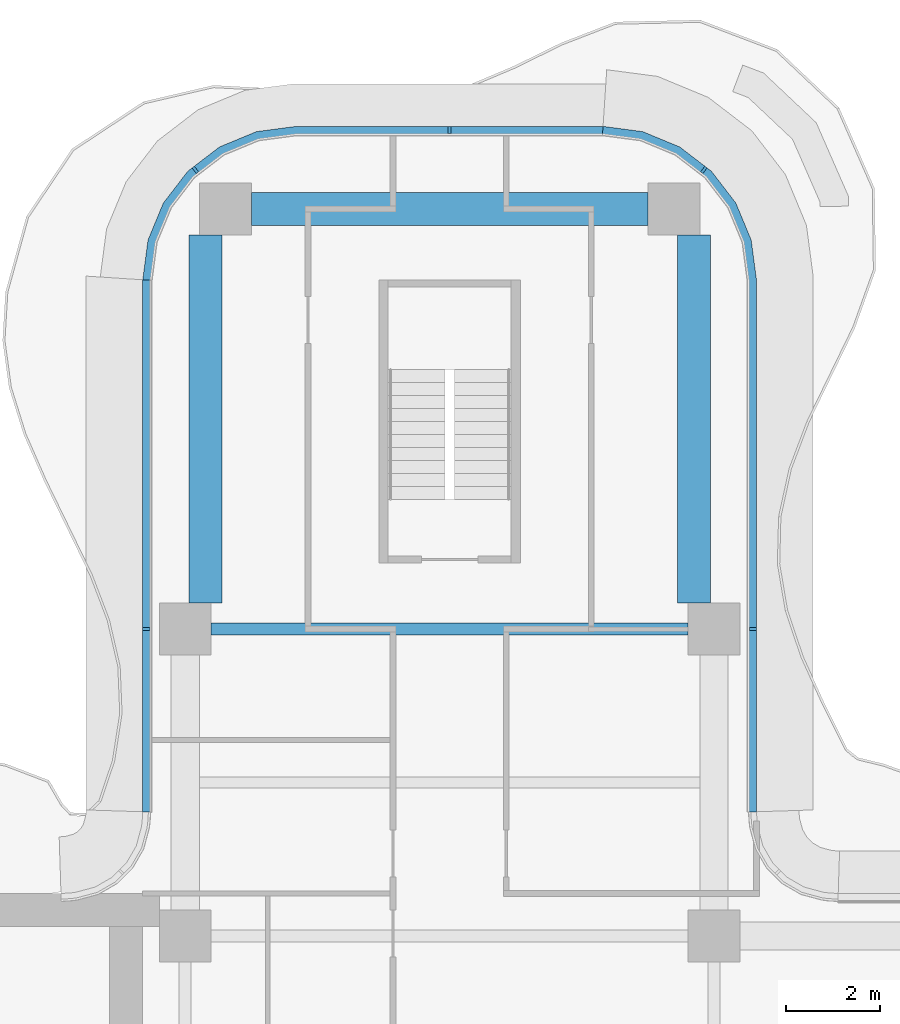
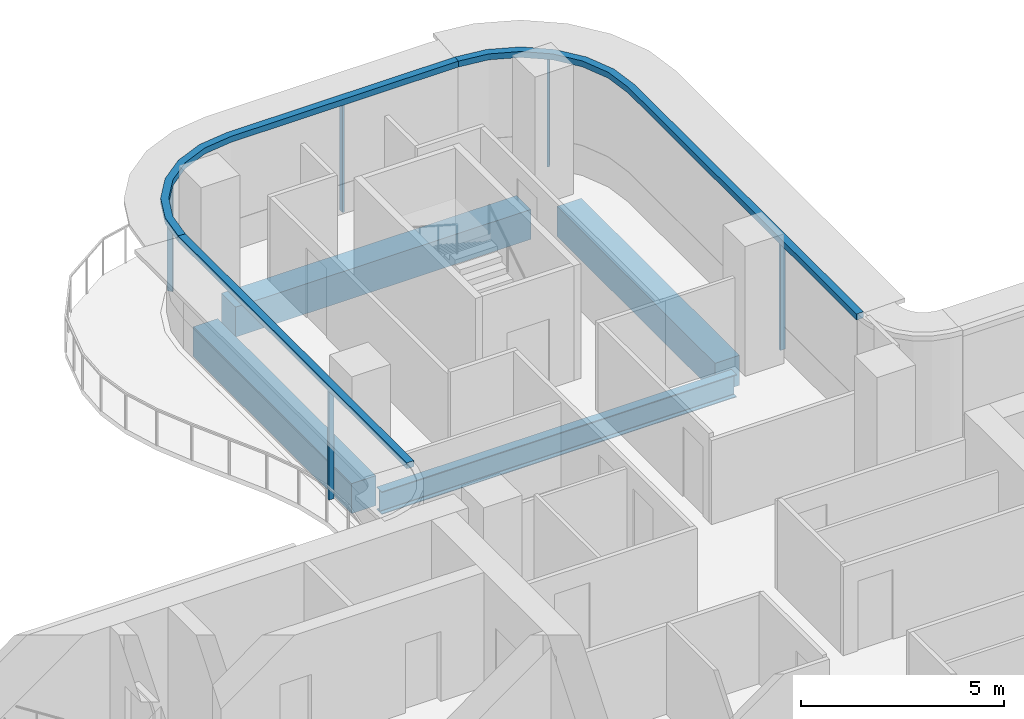
# One storey, part 7 of 16: 8 members, 4 beams, 3 elements without a shape of their own.
"""IFC4 building model written with IfcOpenShell, lengths in metres."""

from ifc_helpers import new_model, si_unit, direction, frame, origin, origin_2d, place, context, subcontext, project, spatial, polyline, rectangle, i_section, outline, extrude, source, transform, mapped, material, layer, layer_set, material_profile, profile_set, type_object, element, aggregate, save


model = new_model("IFC4")

# Units and contexts
model_context = context("Model", 3, precision=1e-05, world=origin(), true_north=direction((0.0, 1.0)))
body_context = subcontext(model_context, "Body", "Model", "MODEL_VIEW")
ifc_project = project(units=[si_unit("LENGTHUNIT", "METRE"), si_unit("AREAUNIT", "SQUARE_METRE"), si_unit("VOLUMEUNIT", "CUBIC_METRE"), si_unit("PLANEANGLEUNIT", "RADIAN"), si_unit("MASSUNIT", "GRAM", prefix="KILO")], contexts=[model_context])

# Site, building, storey
site_placement = place(None, origin())
site = spatial("IfcSite", under=ifc_project, at=site_placement, CompositionType="ELEMENT")
building_placement = place(site_placement, origin())
building = spatial("IfcBuilding", under=site, at=building_placement, Name="Trellis Farm Tower", CompositionType="ELEMENT")
storey_placement = place(building_placement, frame((0.0, 0.0, 267.5)))
storey = spatial("IfcBuildingStorey", under=building, at=storey_placement, Name="L60", CompositionType="ELEMENT", Elevation=267.5)

# Beams
ifc_material_1 = material(Name="Steel S355", Category="steel")
ifc_material_profile_1 = material_profile(ifc_material_1, i_section(OverallWidth=0.253662109375, OverallDepth=0.68359375, WebThickness=0.012451171875, FlangeThickness=0.021728515625, FilletRadius=0.01513671875, at=origin_2d()), Name="UB 686x254x140")
ifc_profile_set_1 = profile_set([ifc_material_profile_1], Name="Steel S355")
beam_type_1 = type_object("IfcBeamType", Name="UB 686x254x140", PredefinedType="BEAM", material=ifc_profile_set_1)
shared_shape_1 = source(origin(), body_context, "Body", "SweptSolid", [
    extrude(i_section(OverallWidth=0.253662109375, OverallDepth=0.68359375, WebThickness=0.012451171875, FlangeThickness=0.021728515625, FilletRadius=0.01513671875, at=origin_2d()), origin(), (0.0, 0.0, 1.0), 10.10009765625),
])
beam_1_placement = place(storey_placement, frame((-5.050048828125, 12.10009765625, -0.541748046875), z_axis=(1.0, 0.0, 0.0), x_axis=(0.0, 1.0, 0.0)))
element("IfcBeam", 1, at=beam_1_placement, inside=storey, type_object=beam_type_1, Name="Girder", PredefinedType="BEAM", context=body_context, shape_type="MappedRepresentation", body=[
    mapped(shared_shape_1, transform((0.0, 0.0, 0.0))),
])
ifc_material_2 = material(Name="Concrete C60/75", Category="concrete")
ifc_material_profile_2 = material_profile(ifc_material_2, rectangle(XDim=0.699951171875, YDim=0.89990234375, at=origin_2d()), Name="RC spandrel beam 700x900 C60/75")
ifc_profile_set_2 = profile_set([ifc_material_profile_2], Name="Concrete C60/75")
beam_type_2 = type_object("IfcBeamType", Name="RC spandrel beam 700x900 C60/75", PredefinedType="SPANDREL", material=ifc_profile_set_2)
shared_shape_2 = source(origin(), body_context, "Body", "SweptSolid", [
    extrude(rectangle(XDim=0.699951171875, YDim=0.89990234375, at=origin_2d()), origin(), (0.0, 0.0, 1.0), 8.39990234375),
])
beam_2_placement = place(storey_placement, frame((-4.199951171875, 21.0, -0.64990234375), z_axis=(1.0, 0.0, 0.0), x_axis=(0.0, 1.0, 0.0)))
element("IfcBeam", 2, at=beam_2_placement, inside=storey, type_object=beam_type_2, Name="Girder", PredefinedType="SPANDREL", context=body_context, shape_type="MappedRepresentation", body=[
    mapped(shared_shape_2, transform((0.0, 0.0, 0.0))),
])
shared_shape_3 = source(origin(), body_context, "Body", "SweptSolid", [
    extrude(rectangle(XDim=0.699951171875, YDim=0.89990234375, at=origin_2d()), origin(), (0.0, 0.0, 1.0), 7.800048828125),
])
for number, where, z_axis, x_axis, name in (
    (3, (-5.175048828125, 12.64990234375, -0.64990234375), (0.0, 1.0, 0.0), (-1.0, 0.0, 0.0), "Girder"),
    (4, (5.175048828125, 12.64990234375, -0.64990234375), (0.0, 1.0, 0.0), (-1.0, 0.0, 0.0), "Girder"),
):
    element("IfcBeam", number, at=place(storey_placement, frame(where, z_axis=z_axis, x_axis=x_axis)), inside=storey, type_object=beam_type_2, Name=name, PredefinedType="SPANDREL", context=body_context, shape_type="MappedRepresentation", body=[
        mapped(shared_shape_3, transform((0.0, 0.0, 0.0))),
    ])

# Curtain wall, member
ifc_material_3 = material(Name="Aluminium and glass curtain wall", Category="aluminium")
ifc_layer_1 = layer(ifc_material_3, 0.18994140625)
ifc_layer_set_1 = layer_set([ifc_layer_1], Name="RIBBON CURTAIN WALL CW1")
curtain_wall_type = type_object("IfcCurtainWallType", Name="RIBBON CURTAIN WALL CW1", PredefinedType="NOTDEFINED", material=ifc_layer_set_1)
placement_1 = place(storey_placement, origin())
curtain_wall_1 = element("IfcCurtainWall", 5, at=placement_1, inside=storey, type_object=curtain_wall_type, Name="CW1 009", PredefinedType="NOTDEFINED")
ifc_material_4 = material(Name="Aluminium extrusion 6063-T6", Category="aluminium")
ifc_layer_2 = layer(ifc_material_4, 0.199951171875)
ifc_layer_set_2 = layer_set([ifc_layer_2], Name="Aluminium extrusion 6063-T6")
member_type_1 = type_object("IfcMemberType", Name="CW1 TRANSOM 200x180", PredefinedType="USERDEFINED", material=ifc_layer_set_2)
shared_shape_4 = source(origin(), body_context, "Body", "SweptSolid", [
    extrude(outline(polyline([(6.5, 8.2314453125), (6.5, 19.5), (6.38916015625, 20.341064453125), (6.064697265625, 21.125), (5.548095703125, 21.798095703125), (4.875, 22.314697265625), (4.091064453125, 22.63916015625), (3.25, 22.75), (3.23681640625, 22.550048828125), (4.0390625, 22.4443359375), (4.774169921875, 22.139892578125), (5.405517578125, 21.655517578125), (5.889892578125, 21.024169921875), (6.1943359375, 20.2890625), (6.300048828125, 19.48681640625), (6.300048828125, 8.224853515625), (6.5, 8.2314453125)])), origin(), (0.0, 0.0, 1.0), 0.179931640625),
])
placement_2 = place(storey_placement, frame((0.0, 0.0, 3.27001953125)))
member_1 = element("IfcMember", 6, at=placement_2, type_object=member_type_1, Name="TR1 009", ObjectType="TRANSOM", PredefinedType="USERDEFINED", context=body_context, shape_type="MappedRepresentation", body=[
    mapped(shared_shape_4, transform((0.0, 0.0, 0.0))),
])

curtain_wall_2 = element("IfcCurtainWall", 7, at=placement_1, inside=storey, type_object=curtain_wall_type, Name="CW1 010", PredefinedType="NOTDEFINED")
shared_shape_5 = source(origin(), body_context, "Body", "SweptSolid", [
    extrude(outline(polyline([(3.25, 22.75), (-3.25, 22.75), (-4.091064453125, 22.63916015625), (-4.875, 22.314697265625), (-5.548095703125, 21.798095703125), (-6.064697265625, 21.125), (-6.38916015625, 20.341064453125), (-6.5, 19.5), (-6.300048828125, 19.48681640625), (-6.1943359375, 20.2890625), (-5.889892578125, 21.024169921875), (-5.405517578125, 21.655517578125), (-4.774169921875, 22.139892578125), (-4.0390625, 22.4443359375), (-3.23681640625, 22.550048828125), (3.23681640625, 22.550048828125), (3.25, 22.75)])), origin(), (0.0, 0.0, 1.0), 0.179931640625),
])
member_2 = element("IfcMember", 8, at=placement_2, type_object=member_type_1, Name="TR1 010", ObjectType="TRANSOM", PredefinedType="USERDEFINED", context=body_context, shape_type="MappedRepresentation", body=[
    mapped(shared_shape_5, transform((0.0, 0.0, 0.0))),
])

curtain_wall_3 = element("IfcCurtainWall", 9, at=placement_1, inside=storey, type_object=curtain_wall_type, Name="CW1 011", PredefinedType="NOTDEFINED")
shared_shape_6 = source(origin(), body_context, "Body", "SweptSolid", [
    extrude(outline(polyline([(-6.5, 19.5), (-6.5, 8.2314453125), (-6.300048828125, 8.224853515625), (-6.300048828125, 19.48681640625), (-6.5, 19.5)])), origin(), (0.0, 0.0, 1.0), 0.179931640625),
])
member_3 = element("IfcMember", 10, at=placement_2, type_object=member_type_1, Name="TR1 011", ObjectType="TRANSOM", PredefinedType="USERDEFINED", context=body_context, shape_type="MappedRepresentation", body=[
    mapped(shared_shape_6, transform((0.0, 0.0, 0.0))),
])

# Member
ifc_material_profile_3 = material_profile(ifc_material_4, rectangle(XDim=0.06005859375, YDim=0.14990234375, at=origin_2d()), Name="MULLION 60x150")
ifc_profile_set_3 = profile_set([ifc_material_profile_3], Name="Aluminium extrusion 6063-T6")
member_type_2 = type_object("IfcMemberType", Name="CW1 MULLION 60x150", PredefinedType="MULLION", material=ifc_profile_set_3)
shared_shape_7 = source(origin(), body_context, "Body", "SweptSolid", [
    extrude(rectangle(XDim=0.06005859375, YDim=0.14990234375, at=origin_2d()), origin(), (0.0, 0.0, 1.0), 3.27001953125),
])
member_4_placement = place(storey_placement, frame((6.425048828125, 12.10009765625, 0.0), z_axis=(0.0, 0.0, 1.0), x_axis=(0.0, 1.0, 0.0)))
member_4 = element("IfcMember", 11, at=member_4_placement, type_object=member_type_2, Name="MU1 009-01", PredefinedType="MULLION", context=body_context, shape_type="MappedRepresentation", body=[
    mapped(shared_shape_7, transform((0.0, 0.0, 0.0))),
])

member_5_placement = place(storey_placement, frame((5.385498046875, 21.828369140625, 0.0), z_axis=(0.0, 0.0, 1.0), x_axis=(-0.793353340291, 0.608761429009, 0.0)))
member_5 = element("IfcMember", 12, at=member_5_placement, type_object=member_type_2, Name="MU1 009-02", PredefinedType="MULLION", context=body_context, shape_type="MappedRepresentation", body=[
    mapped(shared_shape_7, transform((0.0, 0.0, 0.0))),
])

aggregate(curtain_wall_1, [member_4, member_5, member_1])

member_6_placement = place(storey_placement, frame((0.0, 22.675048828125, 0.0), z_axis=(0.0, 0.0, 1.0), x_axis=(-1.0, 0.0, 0.0)))
member_6 = element("IfcMember", 13, at=member_6_placement, type_object=member_type_2, Name="MU1 010-01", PredefinedType="MULLION", context=body_context, shape_type="MappedRepresentation", body=[
    mapped(shared_shape_7, transform((0.0, 0.0, 0.0))),
])

member_7_placement = place(storey_placement, frame((-5.385498046875, 21.828369140625, 0.0), z_axis=(0.0, 0.0, 1.0), x_axis=(-0.793353340291, -0.608761429009, 0.0)))
member_7 = element("IfcMember", 14, at=member_7_placement, type_object=member_type_2, Name="MU1 010-02", PredefinedType="MULLION", context=body_context, shape_type="MappedRepresentation", body=[
    mapped(shared_shape_7, transform((0.0, 0.0, 0.0))),
])

aggregate(curtain_wall_2, [member_6, member_7, member_2])

member_8_placement = place(storey_placement, frame((-6.425048828125, 12.10009765625, 0.0), z_axis=(0.0, 0.0, 1.0), x_axis=(0.0, -1.0, 0.0)))
member_8 = element("IfcMember", 15, at=member_8_placement, type_object=member_type_2, Name="MU1 011-01", PredefinedType="MULLION", context=body_context, shape_type="MappedRepresentation", body=[
    mapped(shared_shape_7, transform((0.0, 0.0, 0.0))),
])

aggregate(curtain_wall_3, [member_8, member_3])

save(model, "model.ifc")
